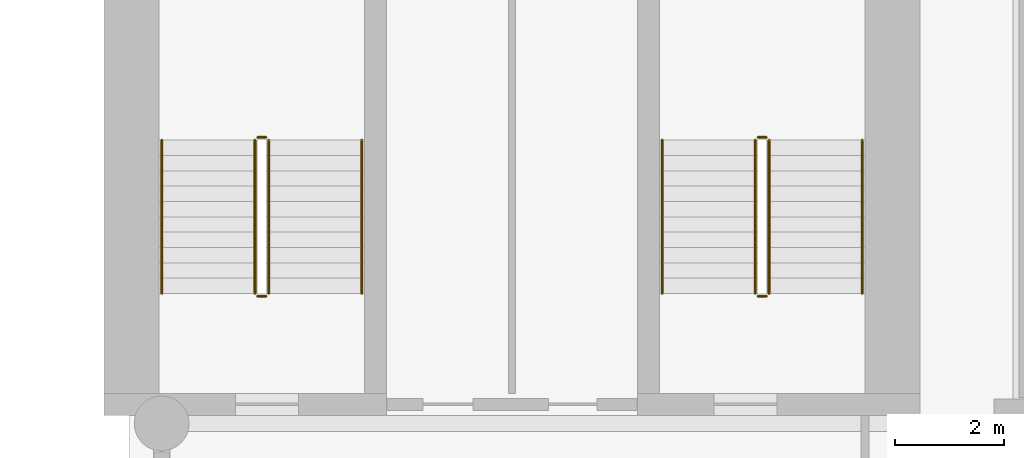
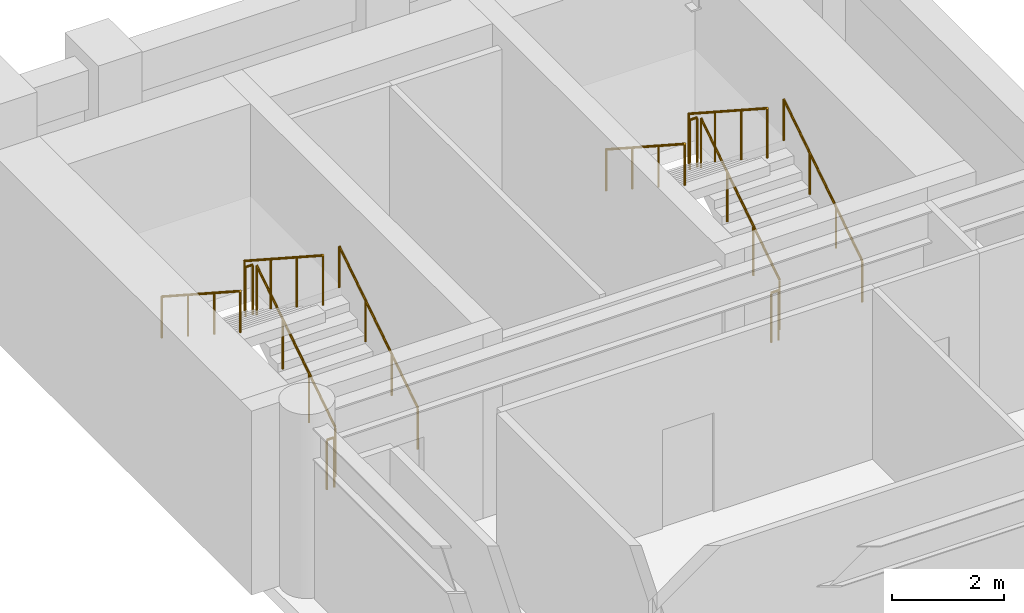
# One storey, part 7 of 7: 12 railings.
"""IFC4 building model written with IfcOpenShell, lengths in metres."""

from ifc_helpers import new_model, si_unit, direction, frame, origin, origin_2d, place, context, subcontext, project, spatial, circle, extrude, material, type_object, element, save


model = new_model("IFC4")

# Units and contexts
model_context = context("Model", 3, precision=1e-05, world=origin(), true_north=direction((0.0, 1.0)))
body_context = subcontext(model_context, "Body", "Model", "MODEL_VIEW")
ifc_project = project(units=[si_unit("LENGTHUNIT", "METRE"), si_unit("AREAUNIT", "SQUARE_METRE"), si_unit("VOLUMEUNIT", "CUBIC_METRE"), si_unit("PLANEANGLEUNIT", "RADIAN"), si_unit("MASSUNIT", "GRAM", prefix="KILO")], contexts=[model_context])

# Site, building, storey
site_placement = place(None, origin())
site = spatial("IfcSite", under=ifc_project, at=site_placement, CompositionType="ELEMENT")
building_placement = place(site_placement, origin())
building = spatial("IfcBuilding", under=site, at=building_placement, Name="Sulina Concourse Tower", CompositionType="ELEMENT")
storey_placement = place(building_placement, frame((0.0, 0.0, 26.60009765625)))
storey = spatial("IfcBuildingStorey", under=building, at=storey_placement, Name="L06", CompositionType="ELEMENT", Elevation=26.60009765625)

# Railings
ifc_material_1 = material(Name="Galvanised steel railing", Category="steel")
railing_type_1 = type_object("IfcRailingType", Name="Core Stair Steel Guardrail 1150mm", PredefinedType="GUARDRAIL", material=ifc_material_1)
railing_1_placement = place(storey_placement, frame((43.554931640625, 36.375, 0.181640625)))
element("IfcRailing", 1, at=railing_1_placement, inside=storey, type_object=railing_type_1, Name="L06 ST-3 stair guard 1", PredefinedType="GUARDRAIL", context=body_context, shape_type="SweptSolid", body=[
    extrude(circle(Radius=0.02392578125, at=origin_2d()), frame((0.0, 0.0, 1.076171875), z_axis=(0.0, 0.838672427954, 0.544636170843), x_axis=(-1.0, 0.0, 0.0)), (0.0, 0.0, 1.0), 3.338623046875),
    extrude(circle(Radius=0.02099609375, at=origin_2d()), origin(), (0.0, 0.0, 1.0), 1.052001953125),
    extrude(circle(Radius=0.02099609375, at=origin_2d()), frame((0.0, 0.933349609375, 0.606201171875)), (0.0, 0.0, 1.0), 1.052001953125),
    extrude(circle(Radius=0.02099609375, at=origin_2d()), frame((0.0, 1.86669921875, 1.212158203125)), (0.0, 0.0, 1.0), 1.052001953125),
    extrude(circle(Radius=0.02099609375, at=origin_2d()), frame((0.0, 2.800048828125, 1.818359375)), (0.0, 0.0, 1.0), 1.052001953125),
])
railing_2_placement = place(storey_placement, frame((43.5048828125, 39.22509765625, 2.0)))
element("IfcRailing", 2, at=railing_2_placement, inside=storey, type_object=railing_type_1, Name="L06 ST-3 stair guard 2", PredefinedType="GUARDRAIL", context=body_context, shape_type="SweptSolid", body=[
    extrude(circle(Radius=0.02392578125, at=origin_2d()), frame((0.0, 0.0, 1.076171875), z_axis=(-1.0, 0.0, 0.0), x_axis=(0.0, -1.0, 0.0)), (0.0, 0.0, 1.0), 0.14990234375),
    extrude(circle(Radius=0.02099609375, at=origin_2d()), origin(), (0.0, 0.0, 1.0), 1.052001953125),
    extrude(circle(Radius=0.02099609375, at=origin_2d()), frame((-0.14990234375, 0.0, 0.0)), (0.0, 0.0, 1.0), 1.052001953125),
])
railing_3_placement = place(storey_placement, frame((43.304931640625, 39.175048828125, 2.181640625)))
element("IfcRailing", 3, at=railing_3_placement, inside=storey, type_object=railing_type_1, Name="L06 ST-3 stair guard 3", PredefinedType="GUARDRAIL", context=body_context, shape_type="SweptSolid", body=[
    extrude(circle(Radius=0.02392578125, at=origin_2d()), frame((0.0, 0.0, 1.076171875), z_axis=(0.0, -0.838672427954, 0.544636170843), x_axis=(1.0, 0.0, 0.0)), (0.0, 0.0, 1.0), 3.338623046875),
    extrude(circle(Radius=0.02099609375, at=origin_2d()), origin(), (0.0, 0.0, 1.0), 1.052001953125),
    extrude(circle(Radius=0.02099609375, at=origin_2d()), frame((0.0, -0.933349609375, 0.606201171875)), (0.0, 0.0, 1.0), 1.052001953125),
    extrude(circle(Radius=0.02099609375, at=origin_2d()), frame((0.0, -1.86669921875, 1.212158203125)), (0.0, 0.0, 1.0), 1.052001953125),
    extrude(circle(Radius=0.02099609375, at=origin_2d()), frame((0.0, -2.800048828125, 1.818359375)), (0.0, 0.0, 1.0), 1.052001953125),
])
railing_4_placement = place(storey_placement, frame((43.5048828125, 36.324951171875, 0.0)))
element("IfcRailing", 4, at=railing_4_placement, inside=storey, type_object=railing_type_1, Name="L06 ST-3 stair guard 4", PredefinedType="GUARDRAIL", context=body_context, shape_type="SweptSolid", body=[
    extrude(circle(Radius=0.02392578125, at=origin_2d()), frame((0.0, 0.0, 1.076171875), z_axis=(-1.0, 0.0, 0.0), x_axis=(0.0, -1.0, 0.0)), (0.0, 0.0, 1.0), 0.14990234375),
    extrude(circle(Radius=0.02099609375, at=origin_2d()), origin(), (0.0, 0.0, 1.0), 1.052001953125),
    extrude(circle(Radius=0.02099609375, at=origin_2d()), frame((-0.14990234375, 0.0, 0.0)), (0.0, 0.0, 1.0), 1.052001953125),
])
railing_5_placement = place(storey_placement, frame((52.695068359375, 36.375, 0.181640625)))
element("IfcRailing", 5, at=railing_5_placement, inside=storey, type_object=railing_type_1, Name="L06 ST-4 stair guard 1", PredefinedType="GUARDRAIL", context=body_context, shape_type="SweptSolid", body=[
    extrude(circle(Radius=0.02392578125, at=origin_2d()), frame((0.0, 0.0, 1.076171875), z_axis=(0.0, 0.838672427954, 0.544636170843), x_axis=(-1.0, 0.0, 0.0)), (0.0, 0.0, 1.0), 3.338623046875),
    extrude(circle(Radius=0.02099609375, at=origin_2d()), origin(), (0.0, 0.0, 1.0), 1.052001953125),
    extrude(circle(Radius=0.02099609375, at=origin_2d()), frame((0.0, 0.933349609375, 0.606201171875)), (0.0, 0.0, 1.0), 1.052001953125),
    extrude(circle(Radius=0.02099609375, at=origin_2d()), frame((0.0, 1.86669921875, 1.212158203125)), (0.0, 0.0, 1.0), 1.052001953125),
    extrude(circle(Radius=0.02099609375, at=origin_2d()), frame((0.0, 2.800048828125, 1.818359375)), (0.0, 0.0, 1.0), 1.052001953125),
])
railing_6_placement = place(storey_placement, frame((52.64501953125, 39.22509765625, 2.0)))
element("IfcRailing", 6, at=railing_6_placement, inside=storey, type_object=railing_type_1, Name="L06 ST-4 stair guard 2", PredefinedType="GUARDRAIL", context=body_context, shape_type="SweptSolid", body=[
    extrude(circle(Radius=0.02392578125, at=origin_2d()), frame((0.0, 0.0, 1.076171875), z_axis=(-1.0, 0.0, 0.0), x_axis=(0.0, -1.0, 0.0)), (0.0, 0.0, 1.0), 0.14990234375),
    extrude(circle(Radius=0.02099609375, at=origin_2d()), origin(), (0.0, 0.0, 1.0), 1.052001953125),
    extrude(circle(Radius=0.02099609375, at=origin_2d()), frame((-0.14990234375, 0.0, 0.0)), (0.0, 0.0, 1.0), 1.052001953125),
])
railing_7_placement = place(storey_placement, frame((52.445068359375, 39.175048828125, 2.181640625)))
element("IfcRailing", 7, at=railing_7_placement, inside=storey, type_object=railing_type_1, Name="L06 ST-4 stair guard 3", PredefinedType="GUARDRAIL", context=body_context, shape_type="SweptSolid", body=[
    extrude(circle(Radius=0.02392578125, at=origin_2d()), frame((0.0, 0.0, 1.076171875), z_axis=(0.0, -0.838672427954, 0.544636170843), x_axis=(1.0, 0.0, 0.0)), (0.0, 0.0, 1.0), 3.338623046875),
    extrude(circle(Radius=0.02099609375, at=origin_2d()), origin(), (0.0, 0.0, 1.0), 1.052001953125),
    extrude(circle(Radius=0.02099609375, at=origin_2d()), frame((0.0, -0.933349609375, 0.606201171875)), (0.0, 0.0, 1.0), 1.052001953125),
    extrude(circle(Radius=0.02099609375, at=origin_2d()), frame((0.0, -1.86669921875, 1.212158203125)), (0.0, 0.0, 1.0), 1.052001953125),
    extrude(circle(Radius=0.02099609375, at=origin_2d()), frame((0.0, -2.800048828125, 1.818359375)), (0.0, 0.0, 1.0), 1.052001953125),
])
railing_8_placement = place(storey_placement, frame((52.64501953125, 36.324951171875, 0.0)))
element("IfcRailing", 8, at=railing_8_placement, inside=storey, type_object=railing_type_1, Name="L06 ST-4 stair guard 4", PredefinedType="GUARDRAIL", context=body_context, shape_type="SweptSolid", body=[
    extrude(circle(Radius=0.02392578125, at=origin_2d()), frame((0.0, 0.0, 1.076171875), z_axis=(-1.0, 0.0, 0.0), x_axis=(0.0, -1.0, 0.0)), (0.0, 0.0, 1.0), 0.14990234375),
    extrude(circle(Radius=0.02099609375, at=origin_2d()), origin(), (0.0, 0.0, 1.0), 1.052001953125),
    extrude(circle(Radius=0.02099609375, at=origin_2d()), frame((-0.14990234375, 0.0, 0.0)), (0.0, 0.0, 1.0), 1.052001953125),
])
ifc_material_2 = material(Name="Galvanised steel railing", Category="steel")
railing_type_2 = type_object("IfcRailingType", Name="Stair Wall Steel Handrail 920mm", PredefinedType="HANDRAIL", material=ifc_material_2)
railing_9_placement = place(storey_placement, frame((45.2548828125, 36.375, 0.181640625)))
element("IfcRailing", 9, at=railing_9_placement, inside=storey, type_object=railing_type_2, Name="L06 ST-3 stair handrail 1", PredefinedType="HANDRAIL", context=body_context, shape_type="SweptSolid", body=[
    extrude(circle(Radius=0.02392578125, at=origin_2d()), frame((0.0, 0.0, 0.89599609375), z_axis=(0.0, 0.838672427954, 0.544636170843), x_axis=(-1.0, 0.0, 0.0)), (0.0, 0.0, 1.0), 3.338623046875),
    extrude(circle(Radius=0.02099609375, at=origin_2d()), origin(), (0.0, 0.0, 1.0), 0.871826171875),
    extrude(circle(Radius=0.02099609375, at=origin_2d()), frame((0.0, 0.933349609375, 0.606201171875)), (0.0, 0.0, 1.0), 0.871826171875),
    extrude(circle(Radius=0.02099609375, at=origin_2d()), frame((0.0, 1.86669921875, 1.212158203125)), (0.0, 0.0, 1.0), 0.871826171875),
    extrude(circle(Radius=0.02099609375, at=origin_2d()), frame((0.0, 2.800048828125, 1.818359375)), (0.0, 0.0, 1.0), 0.871826171875),
])
railing_10_placement = place(storey_placement, frame((41.60498046875, 39.175048828125, 2.181640625)))
element("IfcRailing", 10, at=railing_10_placement, inside=storey, type_object=railing_type_2, Name="L06 ST-3 stair handrail 2", PredefinedType="HANDRAIL", context=body_context, shape_type="SweptSolid", body=[
    extrude(circle(Radius=0.02392578125, at=origin_2d()), frame((0.0, 0.0, 0.89599609375), z_axis=(0.0, -0.838672427954, 0.544636170843), x_axis=(1.0, 0.0, 0.0)), (0.0, 0.0, 1.0), 3.338623046875),
    extrude(circle(Radius=0.02099609375, at=origin_2d()), origin(), (0.0, 0.0, 1.0), 0.871826171875),
    extrude(circle(Radius=0.02099609375, at=origin_2d()), frame((0.0, -0.933349609375, 0.606201171875)), (0.0, 0.0, 1.0), 0.871826171875),
    extrude(circle(Radius=0.02099609375, at=origin_2d()), frame((0.0, -1.86669921875, 1.212158203125)), (0.0, 0.0, 1.0), 0.871826171875),
    extrude(circle(Radius=0.02099609375, at=origin_2d()), frame((0.0, -2.800048828125, 1.818359375)), (0.0, 0.0, 1.0), 0.871826171875),
])
railing_11_placement = place(storey_placement, frame((54.39501953125, 36.375, 0.181640625)))
element("IfcRailing", 11, at=railing_11_placement, inside=storey, type_object=railing_type_2, Name="L06 ST-4 stair handrail 1", PredefinedType="HANDRAIL", context=body_context, shape_type="SweptSolid", body=[
    extrude(circle(Radius=0.02392578125, at=origin_2d()), frame((0.0, 0.0, 0.89599609375), z_axis=(0.0, 0.838672427954, 0.544636170843), x_axis=(-1.0, 0.0, 0.0)), (0.0, 0.0, 1.0), 3.338623046875),
    extrude(circle(Radius=0.02099609375, at=origin_2d()), origin(), (0.0, 0.0, 1.0), 0.871826171875),
    extrude(circle(Radius=0.02099609375, at=origin_2d()), frame((0.0, 0.933349609375, 0.606201171875)), (0.0, 0.0, 1.0), 0.871826171875),
    extrude(circle(Radius=0.02099609375, at=origin_2d()), frame((0.0, 1.86669921875, 1.212158203125)), (0.0, 0.0, 1.0), 0.871826171875),
    extrude(circle(Radius=0.02099609375, at=origin_2d()), frame((0.0, 2.800048828125, 1.818359375)), (0.0, 0.0, 1.0), 0.871826171875),
])
railing_12_placement = place(storey_placement, frame((50.7451171875, 39.175048828125, 2.181640625)))
element("IfcRailing", 12, at=railing_12_placement, inside=storey, type_object=railing_type_2, Name="L06 ST-4 stair handrail 2", PredefinedType="HANDRAIL", context=body_context, shape_type="SweptSolid", body=[
    extrude(circle(Radius=0.02392578125, at=origin_2d()), frame((0.0, 0.0, 0.89599609375), z_axis=(0.0, -0.838672427954, 0.544636170843), x_axis=(1.0, 0.0, 0.0)), (0.0, 0.0, 1.0), 3.338623046875),
    extrude(circle(Radius=0.02099609375, at=origin_2d()), origin(), (0.0, 0.0, 1.0), 0.871826171875),
    extrude(circle(Radius=0.02099609375, at=origin_2d()), frame((0.0, -0.933349609375, 0.606201171875)), (0.0, 0.0, 1.0), 0.871826171875),
    extrude(circle(Radius=0.02099609375, at=origin_2d()), frame((0.0, -1.86669921875, 1.212158203125)), (0.0, 0.0, 1.0), 0.871826171875),
    extrude(circle(Radius=0.02099609375, at=origin_2d()), frame((0.0, -2.800048828125, 1.818359375)), (0.0, 0.0, 1.0), 0.871826171875),
])

save(model, "model.ifc")
